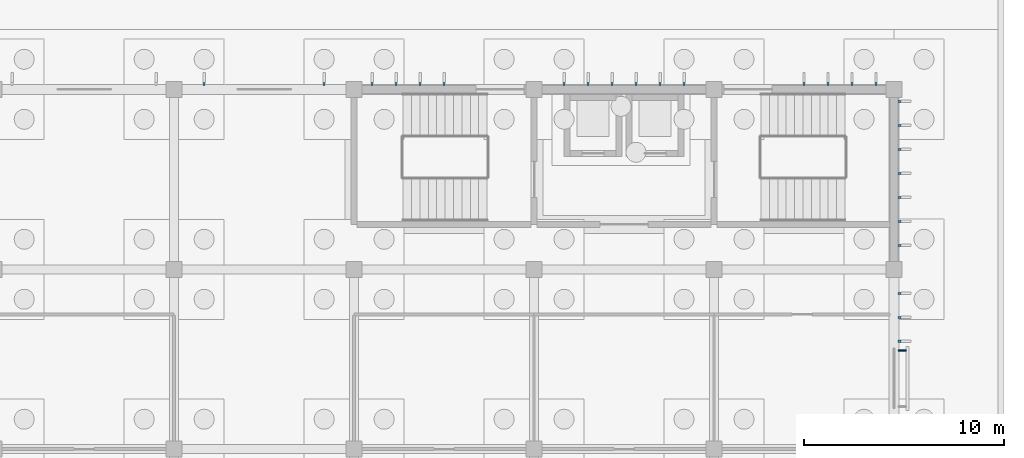
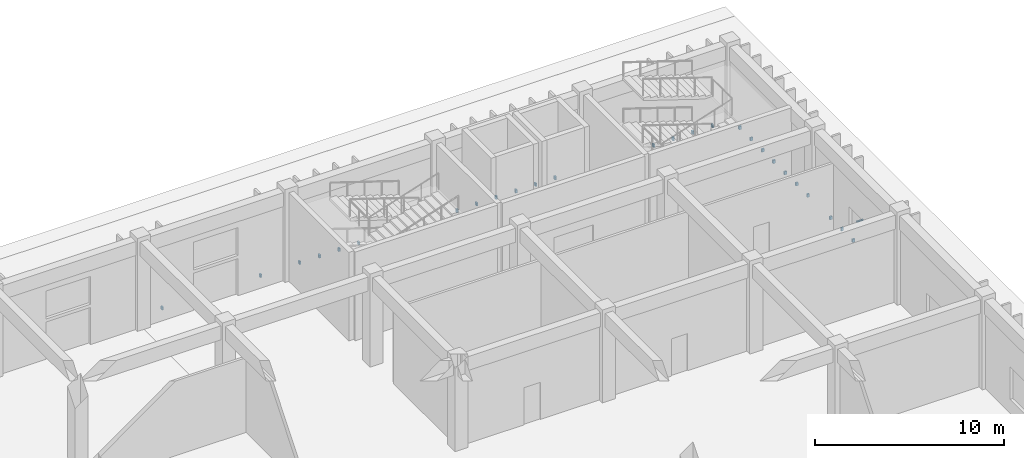
# One storey, part 136 of 198: 27 discrete accessories.
"""IFC4 building model written with IfcOpenShell, lengths in metres."""

from ifc_helpers import new_model, si_unit, direction, frame, origin, origin_2d, place, context, subcontext, project, spatial, rectangle, extrude, material, type_object, element, save


model = new_model("IFC4")

# Units and contexts
model_context = context("Model", 3, precision=1e-05, world=origin(), true_north=direction((0.0, 1.0)))
body_context = subcontext(model_context, "Body", "Model", "MODEL_VIEW")
ifc_project = project(units=[si_unit("LENGTHUNIT", "METRE"), si_unit("AREAUNIT", "SQUARE_METRE"), si_unit("VOLUMEUNIT", "CUBIC_METRE"), si_unit("PLANEANGLEUNIT", "RADIAN"), si_unit("MASSUNIT", "GRAM", prefix="KILO")], contexts=[model_context])

# Site, building, storey
site_placement = place(None, origin())
site = spatial("IfcSite", under=ifc_project, at=site_placement, CompositionType="ELEMENT")
building_placement = place(site_placement, origin())
building = spatial("IfcBuilding", under=site, at=building_placement, Name="Opaline Strait Convention Centre", CompositionType="ELEMENT")
storey_placement = place(building_placement, origin())
storey = spatial("IfcBuildingStorey", under=building, at=storey_placement, Name="L00", CompositionType="ELEMENT", Elevation=0.0)

# Discrete accessories
ifc_material = material(Name="Stainless steel 304", Category="steel")
discrete_accessory_type_1 = type_object("IfcDiscreteAccessoryType", Name="Fin bracket 150 stainless steel", PredefinedType="BRACKET", material=ifc_material)
for number, where, z_axis, x_axis, name in (
    (1, (325.5, 180.27490234375, 0.35009765625), (0.0, 0.0, 1.0), (1.0, 0.0, 0.0), "Fin bracket"),
    (2, (331.5, 180.27490234375, 0.35009765625), (0.0, 0.0, 1.0), (1.0, 0.0, 0.0), "Fin bracket"),
    (3, (333.89990234375, 180.27490234375, 0.35009765625), (0.0, 0.0, 1.0), (1.0, 0.0, 0.0), "Fin bracket"),
    (4, (335.10009765625, 180.27490234375, 0.35009765625), (0.0, 0.0, 1.0), (1.0, 0.0, 0.0), "Fin bracket"),
    (5, (336.300048828125, 180.27490234375, 0.35009765625), (0.0, 0.0, 1.0), (1.0, 0.0, 0.0), "Fin bracket"),
    (6, (337.5, 180.27490234375, 0.35009765625), (0.0, 0.0, 1.0), (1.0, 0.0, 0.0), "Fin bracket"),
    (7, (343.5, 180.27490234375, 0.35009765625), (0.0, 0.0, 1.0), (1.0, 0.0, 0.0), "Fin bracket"),
    (8, (344.699951171875, 180.27490234375, 0.35009765625), (0.0, 0.0, 1.0), (1.0, 0.0, 0.0), "Fin bracket"),
    (9, (345.89990234375, 180.27490234375, 0.35009765625), (0.0, 0.0, 1.0), (1.0, 0.0, 0.0), "Fin bracket"),
    (10, (347.10009765625, 180.27490234375, 0.35009765625), (0.0, 0.0, 1.0), (1.0, 0.0, 0.0), "Fin bracket"),
    (11, (348.300048828125, 180.27490234375, 0.35009765625), (0.0, 0.0, 1.0), (1.0, 0.0, 0.0), "Fin bracket"),
    (12, (349.5, 180.27490234375, 0.35009765625), (0.0, 0.0, 1.0), (1.0, 0.0, 0.0), "Fin bracket"),
    (13, (355.5, 180.27490234375, 0.35009765625), (0.0, 0.0, 1.0), (1.0, 0.0, 0.0), "Fin bracket"),
    (14, (356.699951171875, 180.27490234375, 0.35009765625), (0.0, 0.0, 1.0), (1.0, 0.0, 0.0), "Fin bracket"),
    (15, (357.89990234375, 180.27490234375, 0.35009765625), (0.0, 0.0, 1.0), (1.0, 0.0, 0.0), "Fin bracket"),
    (16, (359.10009765625, 180.27490234375, 0.35009765625), (0.0, 0.0, 1.0), (1.0, 0.0, 0.0), "Fin bracket"),
):
    element("IfcDiscreteAccessory", number, at=place(storey_placement, frame(where, z_axis=z_axis, x_axis=x_axis)), inside=storey, type_object=discrete_accessory_type_1, Name=name, PredefinedType="BRACKET", context=body_context, shape_type="SweptSolid", body=[
        extrude(rectangle(XDim=0.10009765625, YDim=0.14990234375, at=origin_2d()), origin(), (0.0, 0.0, 1.0), 0.199951171875),
    ])
for number, where, z_axis, x_axis, name in (
    (17, (360.27490234375, 167.39990234375, 0.35009765625), (0.0, 0.0, 1.0), (1.0, 0.0, 0.0), "Fin bracket"),
    (18, (360.27490234375, 168.60009765625, 0.35009765625), (0.0, 0.0, 1.0), (1.0, 0.0, 0.0), "Fin bracket"),
    (19, (360.27490234375, 169.800048828125, 0.35009765625), (0.0, 0.0, 1.0), (1.0, 0.0, 0.0), "Fin bracket"),
    (20, (360.27490234375, 172.199951171875, 0.35009765625), (0.0, 0.0, 1.0), (1.0, 0.0, 0.0), "Fin bracket"),
    (21, (360.27490234375, 173.39990234375, 0.35009765625), (0.0, 0.0, 1.0), (1.0, 0.0, 0.0), "Fin bracket"),
    (22, (360.27490234375, 174.60009765625, 0.35009765625), (0.0, 0.0, 1.0), (1.0, 0.0, 0.0), "Fin bracket"),
    (23, (360.27490234375, 175.800048828125, 0.35009765625), (0.0, 0.0, 1.0), (1.0, 0.0, 0.0), "Fin bracket"),
    (24, (360.27490234375, 177.0, 0.35009765625), (0.0, 0.0, 1.0), (1.0, 0.0, 0.0), "Fin bracket"),
    (25, (360.27490234375, 178.199951171875, 0.35009765625), (0.0, 0.0, 1.0), (1.0, 0.0, 0.0), "Fin bracket"),
    (26, (360.27490234375, 179.39990234375, 0.35009765625), (0.0, 0.0, 1.0), (1.0, 0.0, 0.0), "Fin bracket"),
):
    element("IfcDiscreteAccessory", number, at=place(storey_placement, frame(where, z_axis=z_axis, x_axis=x_axis)), inside=storey, type_object=discrete_accessory_type_1, Name=name, PredefinedType="BRACKET", context=body_context, shape_type="SweptSolid", body=[
        extrude(rectangle(XDim=0.14990234375, YDim=0.10009765625, at=origin_2d()), origin(), (0.0, 0.0, 1.0), 0.199951171875),
    ])
discrete_accessory_type_2 = type_object("IfcDiscreteAccessoryType", Name="Louvre bracket 400 stainless steel", PredefinedType="BRACKET", material=ifc_material)
discrete_accessory_placement = place(storey_placement, frame((360.39990234375, 166.9375, 1.909912109375), z_axis=(0.0, 0.0, 1.0), x_axis=(1.0, 0.0, 0.0)))
element("IfcDiscreteAccessory", 27, at=discrete_accessory_placement, inside=storey, type_object=discrete_accessory_type_2, Name="Louvre bracket", PredefinedType="BRACKET", context=body_context, shape_type="SweptSolid", body=[
    extrude(rectangle(XDim=0.39990234375, YDim=0.080078125, at=origin_2d()), origin(), (0.0, 0.0, 1.0), 0.080078125),
])

save(model, "model.ifc")
